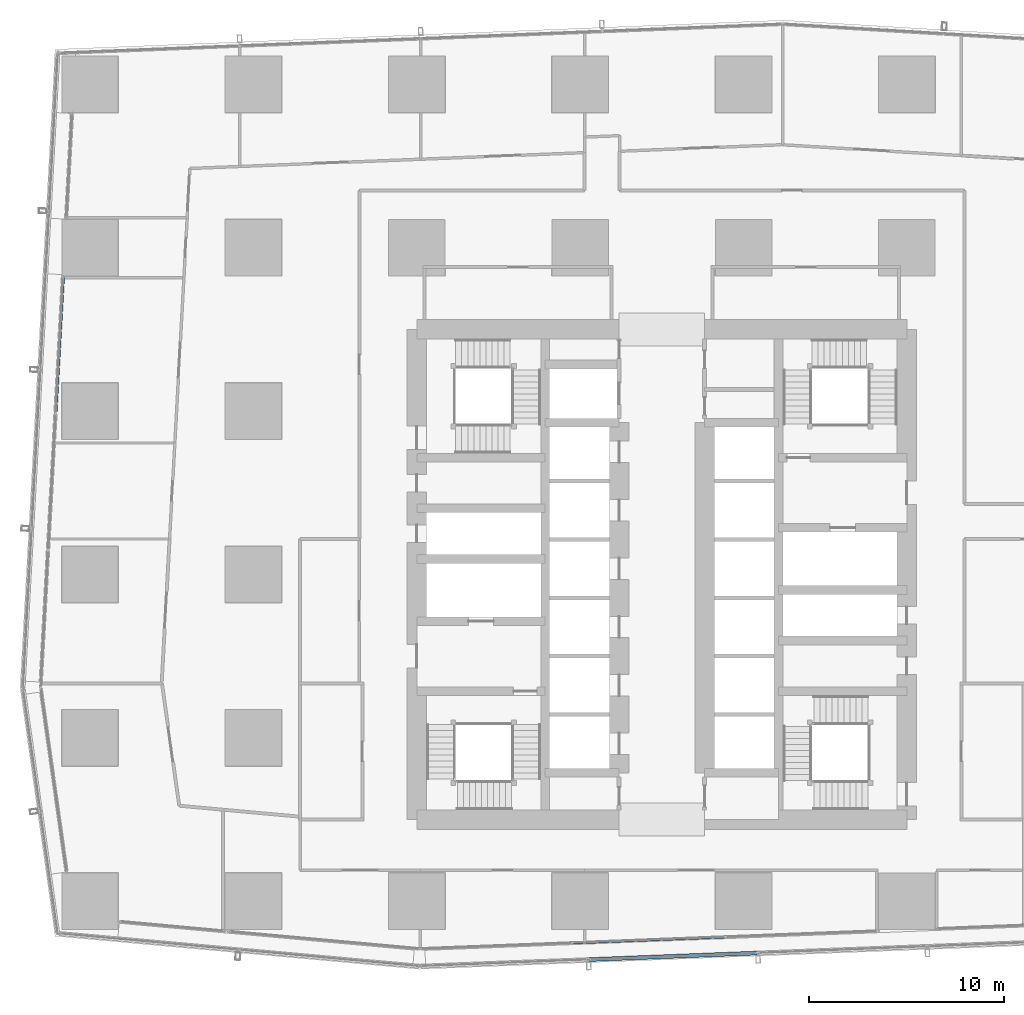
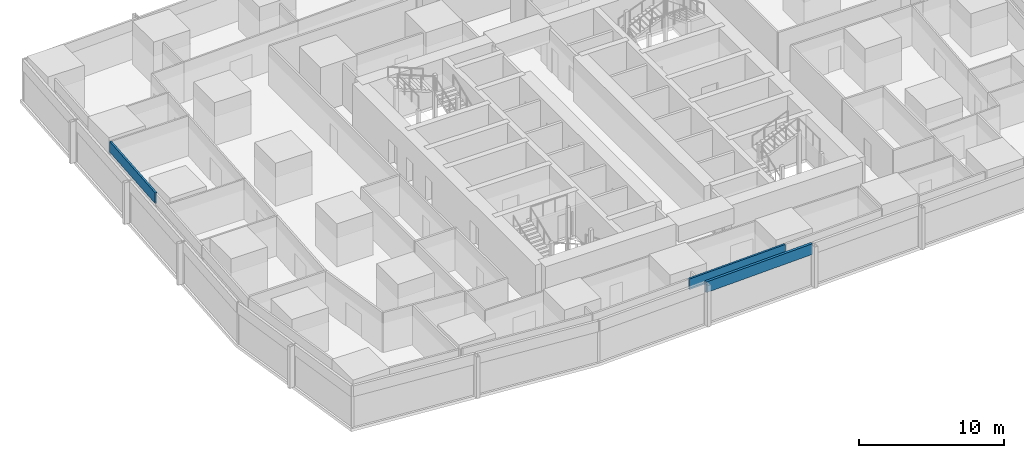
# One storey, part 8 of 40: 3 members, 3 elements without a shape of their own.
"""IFC4 building model written with IfcOpenShell, lengths in metres."""

from ifc_helpers import new_model, si_unit, direction, frame, origin, origin_2d, place, context, subcontext, project, spatial, hollow_rectangle, extrude, material, material_profile, profile_set, type_object, element, aggregate, save


model = new_model("IFC4")

# Units and contexts
model_context = context("Model", 3, precision=1e-05, world=origin(), true_north=direction((0.0, 1.0)))
body_context = subcontext(model_context, "Body", "Model", "MODEL_VIEW")
ifc_project = project(units=[si_unit("LENGTHUNIT", "METRE"), si_unit("AREAUNIT", "SQUARE_METRE"), si_unit("VOLUMEUNIT", "CUBIC_METRE"), si_unit("PLANEANGLEUNIT", "RADIAN"), si_unit("MASSUNIT", "GRAM", prefix="KILO")], contexts=[model_context])

# Site, building, storey
site_placement = place(None, origin())
site = spatial("IfcSite", under=ifc_project, at=site_placement, CompositionType="ELEMENT")
building_placement = place(site_placement, origin())
building = spatial("IfcBuilding", under=site, at=building_placement, Name="Rekha Terrace Tower", CompositionType="ELEMENT")
storey_placement = place(building_placement, frame((0.0, 0.0, 95.300048828125)))
storey = spatial("IfcBuildingStorey", under=building, at=storey_placement, Name="L23", CompositionType="ELEMENT", Elevation=95.300048828125)

# Curtain wall, member
ifc_material_1 = material(Name="Aluminium framing", Category="aluminium")
curtain_wall_type_1 = type_object("IfcCurtainWallType", Name="CW1 double skin inner glazing", PredefinedType="USERDEFINED", material=ifc_material_1)
curtain_wall_1_placement = place(storey_placement, origin())
curtain_wall_1 = element("IfcCurtainWall", 1, at=curtain_wall_1_placement, inside=storey, type_object=curtain_wall_type_1, Name="CW1 double skin inner glazing", ObjectType="DOUBLE SKIN INNER GLAZING", PredefinedType="USERDEFINED")
ifc_material_2 = material(Name="Insulated aluminium spandrel box", Category="aluminium")
ifc_material_profile_1 = material_profile(ifc_material_2, hollow_rectangle(XDim=0.14990234375, YDim=0.89990234375, WallThickness=0.0029296875, at=origin_2d()), Name="AL SPANDREL BOX 150x900")
ifc_profile_set_1 = profile_set([ifc_material_profile_1], Name="Insulated aluminium spandrel box")
member_type_1 = type_object("IfcMemberType", Name="CW1 spandrel transom 150 x 900", PredefinedType="USERDEFINED", material=ifc_profile_set_1)
member_1_placement = place(storey_placement, frame((33.24169921875, 14.669189453125, 3.050048828125), z_axis=(0.999243414292, 0.038892145665, 0.0), x_axis=(-0.038892145665, 0.999243414292, 0.0)))
member_1 = element("IfcMember", 2, at=member_1_placement, type_object=member_type_1, Name="CW1 spandrel transom 2", ObjectType="TRANSOM", PredefinedType="USERDEFINED", context=body_context, shape_type="SweptSolid", body=[
    extrude(hollow_rectangle(XDim=0.14990234375, YDim=0.89990234375, WallThickness=0.0029296875, at=origin_2d()), origin(), (0.0, 0.0, 1.0), 7.802734375),
])
aggregate(curtain_wall_1, [member_1])

curtain_wall_2_placement = place(storey_placement, origin())
curtain_wall_2 = element("IfcCurtainWall", 3, at=curtain_wall_2_placement, inside=storey, type_object=curtain_wall_type_1, Name="CW1 double skin inner glazing", ObjectType="DOUBLE SKIN INNER GLAZING", PredefinedType="USERDEFINED")
member_2_placement = place(storey_placement, frame((7.01806640625, 48.861083984375, 3.050048828125), z_axis=(-0.054759939376, -0.998499548843, 0.0), x_axis=(0.998499548843, -0.054759939376, 0.0)))
member_2 = element("IfcMember", 4, at=member_2_placement, type_object=member_type_1, Name="CW1 spandrel transom 1", ObjectType="TRANSOM", PredefinedType="USERDEFINED", context=body_context, shape_type="SweptSolid", body=[
    extrude(hollow_rectangle(XDim=0.14990234375, YDim=0.89990234375, WallThickness=0.0029296875, at=origin_2d()), origin(), (0.0, 0.0, 1.0), 6.95068359375),
])
aggregate(curtain_wall_2, [member_2])

curtain_wall_type_2 = type_object("IfcCurtainWallType", Name="CW2 double skin outer glazing", PredefinedType="USERDEFINED", material=ifc_material_1)
curtain_wall_3_placement = place(storey_placement, origin())
curtain_wall_3 = element("IfcCurtainWall", 5, at=curtain_wall_3_placement, inside=storey, type_object=curtain_wall_type_2, Name="CW2 double skin outer glazing", ObjectType="DOUBLE SKIN OUTER GLAZING", PredefinedType="USERDEFINED")
ifc_material_profile_2 = material_profile(ifc_material_2, hollow_rectangle(XDim=0.199951171875, YDim=0.89990234375, WallThickness=0.0029296875, at=origin_2d()), Name="AL SPANDREL BOX 200x900")
ifc_profile_set_2 = profile_set([ifc_material_profile_2], Name="Insulated aluminium spandrel box")
member_type_2 = type_object("IfcMemberType", Name="CW2 spandrel transom 200 x 900", PredefinedType="USERDEFINED", material=ifc_profile_set_2)
member_3_placement = place(storey_placement, frame((34.069091796875, 13.800537109375, 3.050048828125), z_axis=(0.999243438523, 0.038891523097, 0.0), x_axis=(-0.038891523097, 0.999243438523, 0.0)))
member_3 = element("IfcMember", 6, at=member_3_placement, type_object=member_type_2, Name="CW2 spandrel transom 2", ObjectType="TRANSOM", PredefinedType="USERDEFINED", context=body_context, shape_type="SweptSolid", body=[
    extrude(hollow_rectangle(XDim=0.199951171875, YDim=0.89990234375, WallThickness=0.0029296875, at=origin_2d()), origin(), (0.0, 0.0, 1.0), 8.631591796875),
])
aggregate(curtain_wall_3, [member_3])

save(model, "model.ifc")
